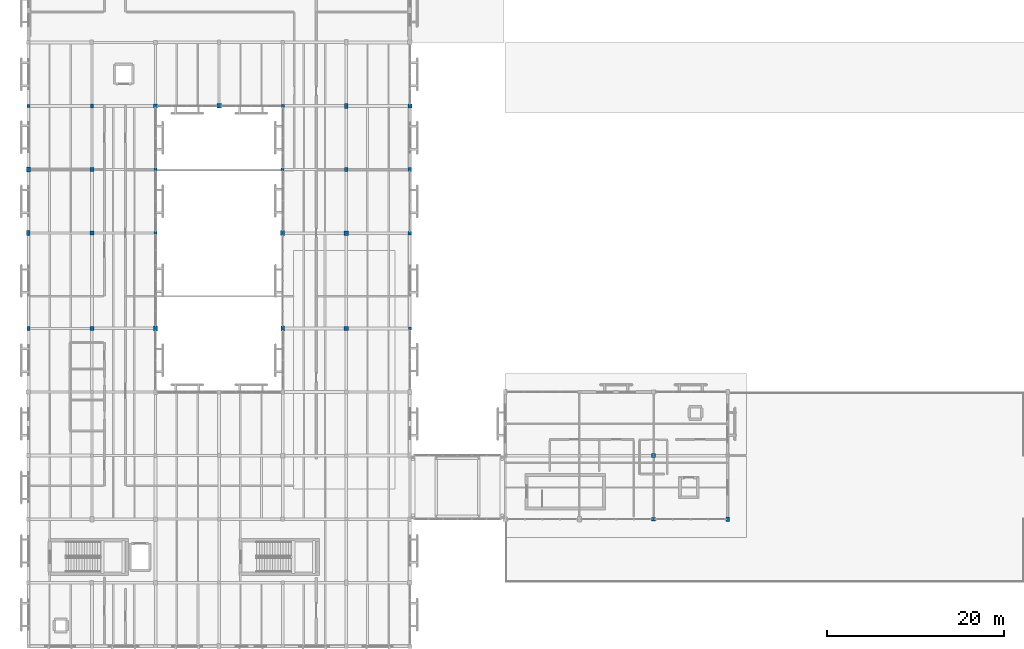
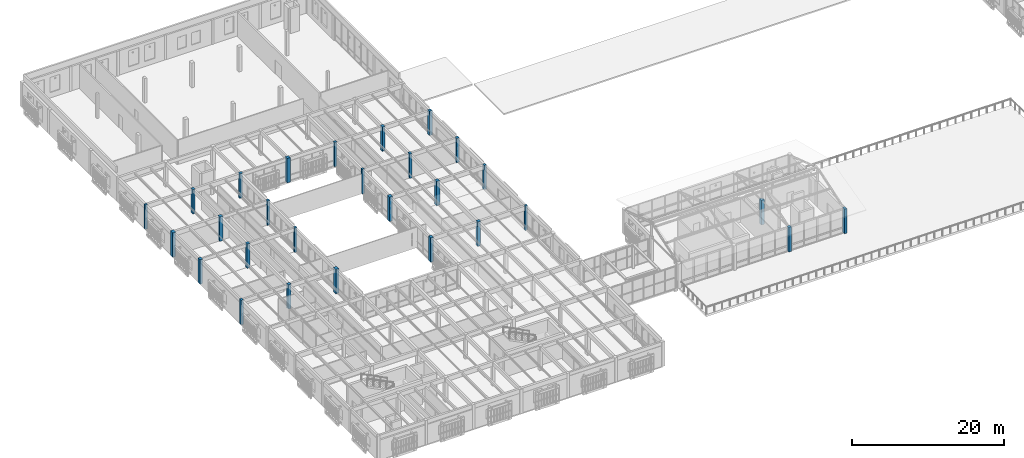
# One storey, part 3 of 112: 28 columns.
"""IFC4 building model written with IfcOpenShell, lengths in metres."""

from ifc_helpers import new_model, si_unit, direction, frame, origin, origin_2d, place, context, subcontext, project, spatial, rectangle, extrude, material, material_profile, profile_set, type_object, element, save


model = new_model("IFC4")

# Units and contexts
model_context = context("Model", 3, precision=1e-05, world=origin(), true_north=direction((0.0, 1.0)))
body_context = subcontext(model_context, "Body", "Model", "MODEL_VIEW")
ifc_project = project(units=[si_unit("LENGTHUNIT", "METRE"), si_unit("AREAUNIT", "SQUARE_METRE"), si_unit("VOLUMEUNIT", "CUBIC_METRE"), si_unit("PLANEANGLEUNIT", "RADIAN"), si_unit("MASSUNIT", "GRAM", prefix="KILO")], contexts=[model_context])

# Site, building, storey
site_placement = place(None, origin())
site = spatial("IfcSite", under=ifc_project, at=site_placement, CompositionType="ELEMENT")
building_placement = place(site_placement, origin())
building = spatial("IfcBuilding", under=site, at=building_placement, Name="Mazaris Harbour Polytechnic", CompositionType="ELEMENT")
storey_placement = place(building_placement, frame((0.0, 0.0, 13.800048828125)))
storey = spatial("IfcBuildingStorey", under=building, at=storey_placement, Name="L03", CompositionType="ELEMENT", Elevation=13.800048828125)

# Columns
ifc_material_1 = material(Name="Glulam GL28h", Category="wood")
ifc_material_profile_1 = material_profile(ifc_material_1, rectangle(XDim=0.340087890625, YDim=0.340087890625, at=origin_2d()), Name="RECT340x340")
ifc_profile_set_1 = profile_set([ifc_material_profile_1], Name="Glulam GL28h")
column_type_1 = type_object("IfcColumnType", Name="Glulam Column 340x340", PredefinedType="COLUMN", material=ifc_profile_set_1)
for number, where, z_axis, x_axis, name in (
    (1, (14.39990234375, 54.0, 0.0), (0.0, 0.0, 1.0), (1.0, 0.0, 0.0), "V4 L03 Column 936"),
    (2, (28.800048828125, 61.199951171875, 0.0), (0.0, 0.0, 1.0), (1.0, 0.0, 0.0), "V4 L03 Column 960"),
):
    element("IfcColumn", number, at=place(storey_placement, frame(where, z_axis=z_axis, x_axis=x_axis)), inside=storey, type_object=column_type_1, Name=name, PredefinedType="COLUMN", context=body_context, shape_type="SweptSolid", body=[
        extrude(rectangle(XDim=0.340087890625, YDim=0.340087890625, at=origin_2d()), origin(), (0.0, 0.0, 1.0), 3.919921875),
    ])
ifc_material_2 = material(Name="Glulam GL28h", Category="wood")
ifc_material_profile_2 = material_profile(ifc_material_2, rectangle(XDim=0.340087890625, YDim=0.340087890625, at=origin_2d()), Name="RECT340x340")
ifc_profile_set_2 = profile_set([ifc_material_profile_2], Name="Glulam GL28h")
column_type_2 = type_object("IfcColumnType", Name="Glulam Column 340x340 Exterior", PredefinedType="COLUMN", material=ifc_profile_set_2)
for number, where, z_axis, x_axis, name in (
    (3, (0.0, 68.39990234375, 0.0), (0.0, 0.0, 1.0), (1.0, 0.0, 0.0), "V4 L03 Column 912"),
    (4, (43.199951171875, 43.199951171875, 0.0), (0.0, 0.0, 1.0), (1.0, 0.0, 0.0), "V4 L03 Column 984"),
):
    element("IfcColumn", number, at=place(storey_placement, frame(where, z_axis=z_axis, x_axis=x_axis)), inside=storey, type_object=column_type_2, Name=name, PredefinedType="COLUMN", context=body_context, shape_type="SweptSolid", body=[
        extrude(rectangle(XDim=0.340087890625, YDim=0.340087890625, at=origin_2d()), origin(), (0.0, 0.0, 1.0), 3.919921875),
    ])
ifc_material_3 = material(Name="Glulam GL28h", Category="wood")
ifc_material_profile_3 = material_profile(ifc_material_3, rectangle(XDim=0.360107421875, YDim=0.47998046875, at=origin_2d()), Name="RECT360x480")
ifc_profile_set_3 = profile_set([ifc_material_profile_3], Name="Glulam GL28h")
column_type_3 = type_object("IfcColumnType", Name="Glulam Column 360x480", PredefinedType="COLUMN", material=ifc_profile_set_3)
for number, where, z_axis, x_axis, name in (
    (5, (7.199951171875, 68.39990234375, 0.0), (0.0, 0.0, 1.0), (1.0, 0.0, 0.0), "V4 L03 Column 925"),
    (6, (36.0, 61.199951171875, 0.0), (0.0, 0.0, 1.0), (1.0, 0.0, 0.0), "V4 L03 Column 973"),
):
    element("IfcColumn", number, at=place(storey_placement, frame(where, z_axis=z_axis, x_axis=x_axis)), inside=storey, type_object=column_type_3, Name=name, PredefinedType="COLUMN", context=body_context, shape_type="SweptSolid", body=[
        extrude(rectangle(XDim=0.360107421875, YDim=0.47998046875, at=origin_2d()), origin(), (0.0, 0.0, 1.0), 3.919921875),
    ])
ifc_material_4 = material(Name="Glulam GL28h", Category="wood")
ifc_material_profile_4 = material_profile(ifc_material_4, rectangle(XDim=0.360107421875, YDim=0.47998046875, at=origin_2d()), Name="RECT360x480")
ifc_profile_set_4 = profile_set([ifc_material_profile_4], Name="Glulam GL28h")
column_type_4 = type_object("IfcColumnType", Name="Glulam Column 360x480 Exterior", PredefinedType="COLUMN", material=ifc_profile_set_4)
column_1_placement = place(storey_placement, frame((79.199951171875, 21.60009765625, 0.0), z_axis=(0.0, 0.0, 1.0), x_axis=(1.0, 0.0, 0.0)))
element("IfcColumn", 7, at=column_1_placement, inside=storey, type_object=column_type_4, Name="V3 L03 Column 549", PredefinedType="COLUMN", context=body_context, shape_type="SweptSolid", body=[
    extrude(rectangle(XDim=0.360107421875, YDim=0.47998046875, at=origin_2d()), origin(), (0.0, 0.0, 1.0), 3.9599609375),
])
column_2_placement = place(storey_placement, frame((0.0, 43.199951171875, 0.0), z_axis=(0.0, 0.0, 1.0), x_axis=(1.0, 0.0, 0.0)))
element("IfcColumn", 8, at=column_2_placement, inside=storey, type_object=column_type_4, Name="V4 L03 Column 909", PredefinedType="COLUMN", context=body_context, shape_type="SweptSolid", body=[
    extrude(rectangle(XDim=0.360107421875, YDim=0.47998046875, at=origin_2d()), origin(), (0.0, 0.0, 1.0), 3.919921875),
])
ifc_material_5 = material(Name="Glulam GL28h", Category="wood")
ifc_material_profile_5 = material_profile(ifc_material_5, rectangle(XDim=0.3798828125, YDim=0.3798828125, at=origin_2d()), Name="RECT380x380")
ifc_profile_set_5 = profile_set([ifc_material_profile_5], Name="Glulam GL28h")
column_type_5 = type_object("IfcColumnType", Name="Glulam Column 380x380", PredefinedType="COLUMN", material=ifc_profile_set_5)
for number, where, z_axis, x_axis, name in (
    (9, (14.39990234375, 61.199951171875, 0.0), (0.0, 0.0, 1.0), (1.0, 0.0, 0.0), "V4 L03 Column 937"),
    (10, (28.800048828125, 68.39990234375, 0.0), (0.0, 0.0, 1.0), (1.0, 0.0, 0.0), "V4 L03 Column 961"),
):
    element("IfcColumn", number, at=place(storey_placement, frame(where, z_axis=z_axis, x_axis=x_axis)), inside=storey, type_object=column_type_5, Name=name, PredefinedType="COLUMN", context=body_context, shape_type="SweptSolid", body=[
        extrude(rectangle(XDim=0.3798828125, YDim=0.3798828125, at=origin_2d()), origin(), (0.0, 0.0, 1.0), 3.919921875),
    ])
ifc_material_6 = material(Name="Glulam GL28h", Category="wood")
ifc_material_profile_6 = material_profile(ifc_material_6, rectangle(XDim=0.3798828125, YDim=0.3798828125, at=origin_2d()), Name="RECT380x380")
ifc_profile_set_6 = profile_set([ifc_material_profile_6], Name="Glulam GL28h")
column_type_6 = type_object("IfcColumnType", Name="Glulam Column 380x380 Exterior", PredefinedType="COLUMN", material=ifc_profile_set_6)
column_3_placement = place(storey_placement, frame((43.199951171875, 54.0, 0.0), z_axis=(0.0, 0.0, 1.0), x_axis=(1.0, 0.0, 0.0)))
element("IfcColumn", 11, at=column_3_placement, inside=storey, type_object=column_type_6, Name="V4 L03 Column 985", PredefinedType="COLUMN", context=body_context, shape_type="SweptSolid", body=[
    extrude(rectangle(XDim=0.3798828125, YDim=0.3798828125, at=origin_2d()), origin(), (0.0, 0.0, 1.0), 3.919921875),
])
ifc_material_7 = material(Name="Glulam GL28h", Category="wood")
ifc_material_profile_7 = material_profile(ifc_material_7, rectangle(XDim=0.39990234375, YDim=0.5400390625, at=origin_2d()), Name="RECT400x540")
ifc_profile_set_7 = profile_set([ifc_material_profile_7], Name="Glulam GL28h")
column_type_7 = type_object("IfcColumnType", Name="Glulam Column 400x540", PredefinedType="COLUMN", material=ifc_profile_set_7)
for number, where, z_axis, x_axis, name in (
    (12, (28.800048828125, 43.199951171875, 0.0), (0.0, 0.0, 1.0), (1.0, 0.0, 0.0), "V4 L03 Column 958"),
    (13, (36.0, 68.39990234375, 0.0), (0.0, 0.0, 1.0), (1.0, 0.0, 0.0), "V4 L03 Column 974"),
):
    element("IfcColumn", number, at=place(storey_placement, frame(where, z_axis=z_axis, x_axis=x_axis)), inside=storey, type_object=column_type_7, Name=name, PredefinedType="COLUMN", context=body_context, shape_type="SweptSolid", body=[
        extrude(rectangle(XDim=0.39990234375, YDim=0.5400390625, at=origin_2d()), origin(), (0.0, 0.0, 1.0), 3.919921875),
    ])
ifc_material_8 = material(Name="Glulam GL28h", Category="wood")
ifc_material_profile_8 = material_profile(ifc_material_8, rectangle(XDim=0.39990234375, YDim=0.5400390625, at=origin_2d()), Name="RECT400x540")
ifc_profile_set_8 = profile_set([ifc_material_profile_8], Name="Glulam GL28h")
column_type_8 = type_object("IfcColumnType", Name="Glulam Column 400x540 Exterior", PredefinedType="COLUMN", material=ifc_profile_set_8)
column_4_placement = place(storey_placement, frame((0.0, 54.0, 0.0), z_axis=(0.0, 0.0, 1.0), x_axis=(1.0, 0.0, 0.0)))
element("IfcColumn", 14, at=column_4_placement, inside=storey, type_object=column_type_8, Name="V4 L03 Column 910", PredefinedType="COLUMN", context=body_context, shape_type="SweptSolid", body=[
    extrude(rectangle(XDim=0.39990234375, YDim=0.5400390625, at=origin_2d()), origin(), (0.0, 0.0, 1.0), 3.919921875),
])
ifc_material_9 = material(Name="Glulam GL28h", Category="wood")
ifc_material_profile_9 = material_profile(ifc_material_9, rectangle(XDim=0.419921875, YDim=0.419921875, at=origin_2d()), Name="RECT420x420")
ifc_profile_set_9 = profile_set([ifc_material_profile_9], Name="Glulam GL28h")
column_type_9 = type_object("IfcColumnType", Name="Glulam Column 420x420", PredefinedType="COLUMN", material=ifc_profile_set_9)
for number, where, z_axis, x_axis, name in (
    (15, (7.199951171875, 43.199951171875, 0.0), (0.0, 0.0, 1.0), (1.0, 0.0, 0.0), "V4 L03 Column 922"),
    (16, (14.39990234375, 68.39990234375, 0.0), (0.0, 0.0, 1.0), (1.0, 0.0, 0.0), "V4 L03 Column 938"),
):
    element("IfcColumn", number, at=place(storey_placement, frame(where, z_axis=z_axis, x_axis=x_axis)), inside=storey, type_object=column_type_9, Name=name, PredefinedType="COLUMN", context=body_context, shape_type="SweptSolid", body=[
        extrude(rectangle(XDim=0.419921875, YDim=0.419921875, at=origin_2d()), origin(), (0.0, 0.0, 1.0), 3.919921875),
    ])
ifc_material_10 = material(Name="Glulam GL28h", Category="wood")
ifc_material_profile_10 = material_profile(ifc_material_10, rectangle(XDim=0.419921875, YDim=0.419921875, at=origin_2d()), Name="RECT420x420")
ifc_profile_set_10 = profile_set([ifc_material_profile_10], Name="Glulam GL28h")
column_type_10 = type_object("IfcColumnType", Name="Glulam Column 420x420 Exterior", PredefinedType="COLUMN", material=ifc_profile_set_10)
column_5_placement = place(storey_placement, frame((70.800048828125, 21.60009765625, 0.0), z_axis=(0.0, 0.0, 1.0), x_axis=(1.0, 0.0, 0.0)))
element("IfcColumn", 17, at=column_5_placement, inside=storey, type_object=column_type_10, Name="V3 L03 Column 546", PredefinedType="COLUMN", context=body_context, shape_type="SweptSolid", body=[
    extrude(rectangle(XDim=0.419921875, YDim=0.419921875, at=origin_2d()), origin(), (0.0, 0.0, 1.0), 3.9599609375),
])
column_6_placement = place(storey_placement, frame((43.199951171875, 61.199951171875, 0.0), z_axis=(0.0, 0.0, 1.0), x_axis=(1.0, 0.0, 0.0)))
element("IfcColumn", 18, at=column_6_placement, inside=storey, type_object=column_type_10, Name="V4 L03 Column 986", PredefinedType="COLUMN", context=body_context, shape_type="SweptSolid", body=[
    extrude(rectangle(XDim=0.419921875, YDim=0.419921875, at=origin_2d()), origin(), (0.0, 0.0, 1.0), 3.919921875),
])
ifc_material_11 = material(Name="Glulam GL28h", Category="wood")
ifc_material_profile_11 = material_profile(ifc_material_11, rectangle(XDim=0.43994140625, YDim=0.60009765625, at=origin_2d()), Name="RECT440x600")
ifc_profile_set_11 = profile_set([ifc_material_profile_11], Name="Glulam GL28h")
column_type_11 = type_object("IfcColumnType", Name="Glulam Column 440x600", PredefinedType="COLUMN", material=ifc_profile_set_11)
for number, where, z_axis, x_axis, name in (
    (19, (14.39990234375, 43.199951171875, 0.0), (0.0, 0.0, 1.0), (1.0, 0.0, 0.0), "V4 L03 Column 935"),
    (20, (28.800048828125, 54.0, 0.0), (0.0, 0.0, 1.0), (1.0, 0.0, 0.0), "V4 L03 Column 959"),
):
    element("IfcColumn", number, at=place(storey_placement, frame(where, z_axis=z_axis, x_axis=x_axis)), inside=storey, type_object=column_type_11, Name=name, PredefinedType="COLUMN", context=body_context, shape_type="SweptSolid", body=[
        extrude(rectangle(XDim=0.43994140625, YDim=0.60009765625, at=origin_2d()), origin(), (0.0, 0.0, 1.0), 3.919921875),
    ])
ifc_material_12 = material(Name="Glulam GL28h", Category="wood")
ifc_material_profile_12 = material_profile(ifc_material_12, rectangle(XDim=0.43994140625, YDim=0.60009765625, at=origin_2d()), Name="RECT440x600")
ifc_profile_set_12 = profile_set([ifc_material_profile_12], Name="Glulam GL28h")
column_type_12 = type_object("IfcColumnType", Name="Glulam Column 440x600 Exterior", PredefinedType="COLUMN", material=ifc_profile_set_12)
column_7_placement = place(storey_placement, frame((0.0, 61.199951171875, 0.0), z_axis=(0.0, 0.0, 1.0), x_axis=(1.0, 0.0, 0.0)))
element("IfcColumn", 21, at=column_7_placement, inside=storey, type_object=column_type_12, Name="V4 L03 Column 911", PredefinedType="COLUMN", context=body_context, shape_type="SweptSolid", body=[
    extrude(rectangle(XDim=0.43994140625, YDim=0.60009765625, at=origin_2d()), origin(), (0.0, 0.0, 1.0), 3.919921875),
])
ifc_material_13 = material(Name="Glulam GL28h", Category="wood")
ifc_material_profile_13 = material_profile(ifc_material_13, rectangle(XDim=0.4599609375, YDim=0.4599609375, at=origin_2d()), Name="RECT460x460")
ifc_profile_set_13 = profile_set([ifc_material_profile_13], Name="Glulam GL28h")
column_type_13 = type_object("IfcColumnType", Name="Glulam Column 460x460", PredefinedType="COLUMN", material=ifc_profile_set_13)
column_8_placement = place(storey_placement, frame((70.800048828125, 28.800048828125, 0.0), z_axis=(0.0, 0.0, 1.0), x_axis=(1.0, 0.0, 0.0)))
element("IfcColumn", 22, at=column_8_placement, inside=storey, type_object=column_type_13, Name="V3 L03 Column 547", PredefinedType="COLUMN", context=body_context, shape_type="SweptSolid", body=[
    extrude(rectangle(XDim=0.4599609375, YDim=0.4599609375, at=origin_2d()), origin(), (0.0, 0.0, 1.0), 3.9599609375),
])
for number, where, z_axis, x_axis, name in (
    (23, (7.199951171875, 54.0, 0.0), (0.0, 0.0, 1.0), (1.0, 0.0, 0.0), "V4 L03 Column 923"),
    (24, (36.0, 43.199951171875, 0.0), (0.0, 0.0, 1.0), (1.0, 0.0, 0.0), "V4 L03 Column 971"),
):
    element("IfcColumn", number, at=place(storey_placement, frame(where, z_axis=z_axis, x_axis=x_axis)), inside=storey, type_object=column_type_13, Name=name, PredefinedType="COLUMN", context=body_context, shape_type="SweptSolid", body=[
        extrude(rectangle(XDim=0.4599609375, YDim=0.4599609375, at=origin_2d()), origin(), (0.0, 0.0, 1.0), 3.919921875),
    ])
ifc_material_14 = material(Name="Glulam GL28h", Category="wood")
ifc_material_profile_14 = material_profile(ifc_material_14, rectangle(XDim=0.4599609375, YDim=0.4599609375, at=origin_2d()), Name="RECT460x460")
ifc_profile_set_14 = profile_set([ifc_material_profile_14], Name="Glulam GL28h")
column_type_14 = type_object("IfcColumnType", Name="Glulam Column 460x460 Exterior", PredefinedType="COLUMN", material=ifc_profile_set_14)
column_9_placement = place(storey_placement, frame((43.199951171875, 68.39990234375, 0.0), z_axis=(0.0, 0.0, 1.0), x_axis=(1.0, 0.0, 0.0)))
element("IfcColumn", 25, at=column_9_placement, inside=storey, type_object=column_type_14, Name="V4 L03 Column 987", PredefinedType="COLUMN", context=body_context, shape_type="SweptSolid", body=[
    extrude(rectangle(XDim=0.4599609375, YDim=0.4599609375, at=origin_2d()), origin(), (0.0, 0.0, 1.0), 3.919921875),
])
ifc_material_15 = material(Name="Glulam GL28h", Category="wood")
ifc_material_profile_15 = material_profile(ifc_material_15, rectangle(XDim=0.5, YDim=0.5, at=origin_2d()), Name="RECT500x500")
ifc_profile_set_15 = profile_set([ifc_material_profile_15], Name="Glulam GL28h")
column_type_15 = type_object("IfcColumnType", Name="Glulam Column 500x500", PredefinedType="COLUMN", material=ifc_profile_set_15)
for number, where, z_axis, x_axis, name in (
    (26, (7.199951171875, 61.199951171875, 0.0), (0.0, 0.0, 1.0), (1.0, 0.0, 0.0), "V4 L03 Column 924"),
    (27, (21.60009765625, 68.39990234375, 0.0), (0.0, 0.0, 1.0), (1.0, 0.0, 0.0), "V4 L03 Column 948"),
    (28, (36.0, 54.0, 0.0), (0.0, 0.0, 1.0), (1.0, 0.0, 0.0), "V4 L03 Column 972"),
):
    element("IfcColumn", number, at=place(storey_placement, frame(where, z_axis=z_axis, x_axis=x_axis)), inside=storey, type_object=column_type_15, Name=name, PredefinedType="COLUMN", context=body_context, shape_type="SweptSolid", body=[
        extrude(rectangle(XDim=0.5, YDim=0.5, at=origin_2d()), origin(), (0.0, 0.0, 1.0), 3.919921875),
    ])

save(model, "model.ifc")
